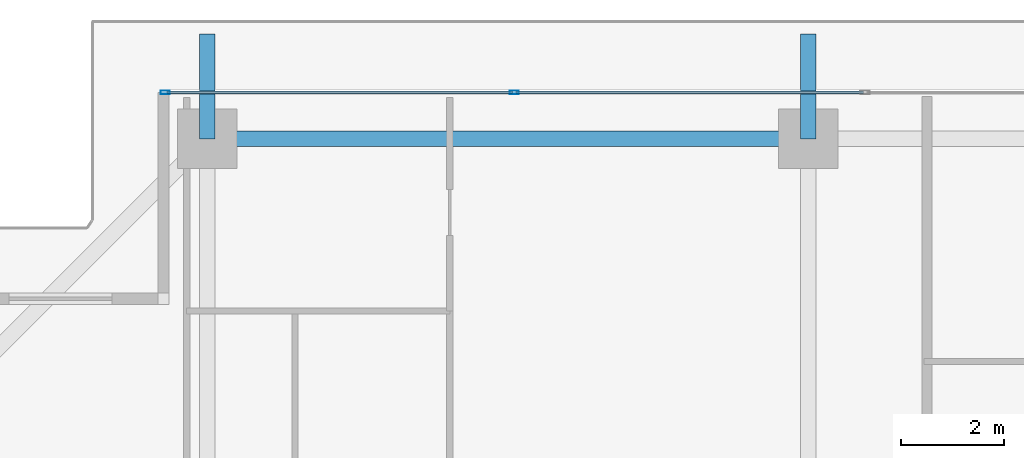
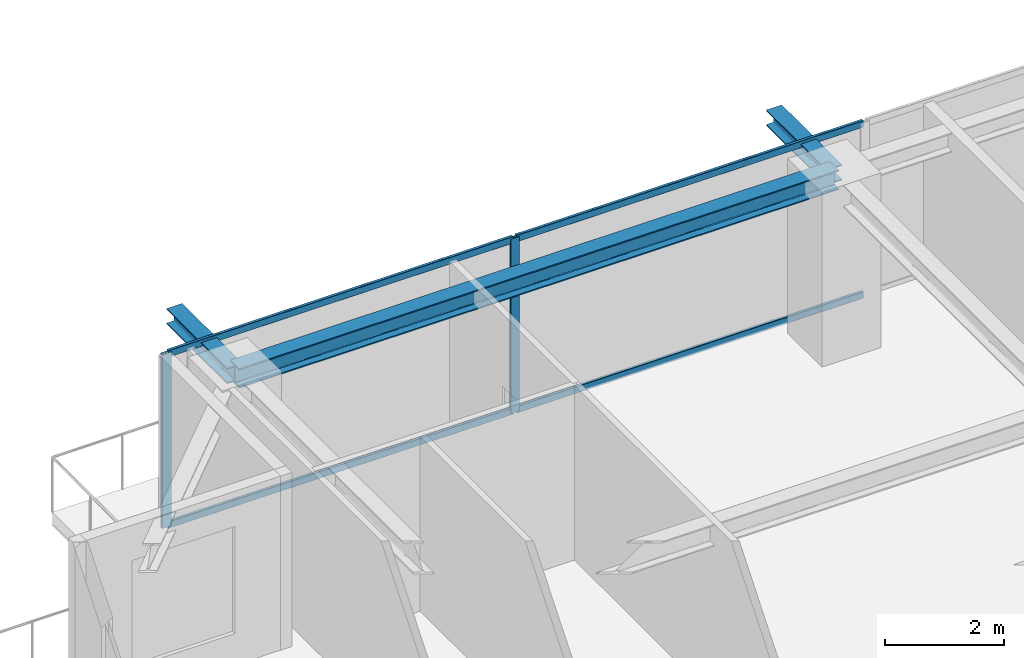
# One storey, part 19 of 36: 6 members, 3 beams, 1 element without a shape of its own.
"""IFC4 building model written with IfcOpenShell, lengths in metres."""

from ifc_helpers import new_model, si_unit, direction, frame, origin, origin_2d, place, context, subcontext, project, spatial, hollow_rectangle, i_section, extrude, source, transform, mapped, material, layer, layer_set, material_profile, profile_set, type_object, element, aggregate, save


model = new_model("IFC4")

# Units and contexts
model_context = context("Model", 3, precision=1e-05, world=origin(), true_north=direction((0.0, 1.0)))
body_context = subcontext(model_context, "Body", "Model", "MODEL_VIEW")
ifc_project = project(units=[si_unit("LENGTHUNIT", "METRE"), si_unit("AREAUNIT", "SQUARE_METRE"), si_unit("VOLUMEUNIT", "CUBIC_METRE"), si_unit("PLANEANGLEUNIT", "RADIAN"), si_unit("MASSUNIT", "GRAM", prefix="KILO")], contexts=[model_context])

# Site, building, storey
site_placement = place(None, origin())
site = spatial("IfcSite", under=ifc_project, at=site_placement, CompositionType="ELEMENT")
building_placement = place(site_placement, origin())
building = spatial("IfcBuilding", under=site, at=building_placement, Name="Serunith Strait Residences", CompositionType="ELEMENT")
storey_placement = place(building_placement, frame((0.0, 0.0, 256.64990234375)))
storey = spatial("IfcBuildingStorey", under=building, at=storey_placement, Name="L64", CompositionType="ELEMENT", Elevation=256.64990234375)

# Beams
ifc_material_1 = material(Name="Steel S355J2", Category="steel")
ifc_material_profile_1 = material_profile(ifc_material_1, i_section(OverallWidth=0.300048828125, OverallDepth=0.39990234375, WebThickness=0.013427734375, FlangeThickness=0.02392578125, FilletRadius=0.027099609375, at=origin_2d()), Name="HEB 400")
ifc_profile_set_1 = profile_set([ifc_material_profile_1], Name="Steel S355J2")
beam_type_1 = type_object("IfcBeamType", Name="BM-HEB400", PredefinedType="BEAM", material=ifc_profile_set_1)
shared_shape_1 = source(origin(), body_context, "Body", "SweptSolid", [
    extrude(i_section(OverallWidth=0.300048828125, OverallDepth=0.39990234375, WebThickness=0.013427734375, FlangeThickness=0.02392578125, FilletRadius=0.027099609375, at=origin_2d()), origin(), (0.0, 0.0, 1.0), 11.64990234375),
])
beam_placement = place(storey_placement, frame((27.89990234375, 48.300048828125, 3.38720703125), z_axis=(-1.0, 0.0, 0.0), x_axis=(0.0, -1.0, 0.0)))
element("IfcBeam", 1, at=beam_placement, inside=storey, type_object=beam_type_1, Name="L64 Perimeter Ring Beam 11", PredefinedType="BEAM", context=body_context, shape_type="MappedRepresentation", body=[
    mapped(shared_shape_1, transform((0.0, 0.0, 0.0), scale=1.0)),
])
ifc_material_profile_2 = material_profile(ifc_material_1, i_section(OverallWidth=0.300048828125, OverallDepth=0.320068359375, WebThickness=0.011474609375, FlangeThickness=0.0205078125, FilletRadius=0.027099609375, at=origin_2d()), Name="HEB 320")
ifc_profile_set_2 = profile_set([ifc_material_profile_2], Name="Steel S355J2")
beam_type_2 = type_object("IfcBeamType", Name="BM-HEB320", PredefinedType="BEAM", material=ifc_profile_set_2)
shared_shape_2 = source(origin(), body_context, "Body", "SweptSolid", [
    extrude(i_section(OverallWidth=0.300048828125, OverallDepth=0.320068359375, WebThickness=0.011474609375, FlangeThickness=0.0205078125, FilletRadius=0.027099609375, at=origin_2d()), origin(), (0.0, 0.0, 1.0), 2.030029296875),
])
for number, where, z_axis, x_axis, name in (
    (2, (16.25, 48.300048828125, 3.397216796875), (0.0, 1.0, 0.0), (-1.0, 0.0, 0.0), "L65 Cantilevered Balcony Rib TC-N1"),
    (3, (27.89990234375, 48.300048828125, 3.397216796875), (0.0, 1.0, 0.0), (-1.0, 0.0, 0.0), "L65 Cantilevered Balcony Rib TC-N2"),
):
    element("IfcBeam", number, at=place(storey_placement, frame(where, z_axis=z_axis, x_axis=x_axis)), inside=storey, type_object=beam_type_2, Name=name, PredefinedType="BEAM", context=body_context, shape_type="MappedRepresentation", body=[
        mapped(shared_shape_2, transform((0.0, 0.0, 0.0), scale=1.0)),
    ])

# Curtain wall, members
ifc_material_2 = material(Name="Pale-Champagne Anodised Aluminium", Category="aluminium")
ifc_layer = layer(ifc_material_2, 0.199951171875, Name="Pale-Champagne Anodised Aluminium")
ifc_layer_set = layer_set([ifc_layer], Name="Pale-Champagne Anodised Aluminium")
curtain_wall_type = type_object("IfcCurtainWallType", Name="CW-SYS4", PredefinedType="NOTDEFINED", material=ifc_layer_set)
curtain_wall_placement = place(storey_placement, origin())
curtain_wall = element("IfcCurtainWall", 4, at=curtain_wall_placement, inside=storey, type_object=curtain_wall_type, Name="L64 N Unitised Fritted Curtain Wall", PredefinedType="NOTDEFINED")
ifc_material_profile_3 = material_profile(ifc_material_2, hollow_rectangle(XDim=0.06005859375, YDim=0.139892578125, WallThickness=0.00341796875, InnerFilletRadius=0.00537109375, OuterFilletRadius=0.0087890625, at=origin_2d()), Name="ALU 140x60x3.5")
ifc_profile_set_3 = profile_set([ifc_material_profile_3], Name="Pale-Champagne Anodised Aluminium")
member_type_1 = type_object("IfcMemberType", Name="CW-SYS4-TRAN", PredefinedType="USERDEFINED", material=ifc_profile_set_3)
shared_shape_3 = source(origin(), body_context, "Body", "SweptSolid", [
    extrude(hollow_rectangle(XDim=0.06005859375, YDim=0.139892578125, WallThickness=0.00341796875, InnerFilletRadius=0.00537109375, OuterFilletRadius=0.0087890625, at=origin_2d()), origin(), (0.0, 0.0, 1.0), 6.702392578125),
])
member_1_placement = place(storey_placement, frame((22.16748046875, 49.199951171875, 0.030029296875), z_axis=(-1.0, 0.0, 0.0), x_axis=(0.0, -1.0, 0.0)))
member_1 = element("IfcMember", 5, at=member_1_placement, type_object=member_type_1, Name="CW-4 transom 5.1", ObjectType="TRANSOM", PredefinedType="USERDEFINED", context=body_context, shape_type="MappedRepresentation", body=[
    mapped(shared_shape_3, transform((0.0, 0.0, 0.0), scale=1.0)),
])
member_2_placement = place(storey_placement, frame((22.16748046875, 49.199951171875, 3.545166015625), z_axis=(-1.0, 0.0, 0.0), x_axis=(0.0, -1.0, 0.0)))
member_2 = element("IfcMember", 6, at=member_2_placement, type_object=member_type_1, Name="CW-4 transom 5.2", ObjectType="TRANSOM", PredefinedType="USERDEFINED", context=body_context, shape_type="MappedRepresentation", body=[
    mapped(shared_shape_3, transform((0.0, 0.0, 0.0), scale=1.0)),
])
shared_shape_4 = source(origin(), body_context, "Body", "SweptSolid", [
    extrude(hollow_rectangle(XDim=0.06005859375, YDim=0.139892578125, WallThickness=0.00341796875, InnerFilletRadius=0.00537109375, OuterFilletRadius=0.0087890625, at=origin_2d()), origin(), (0.0, 0.0, 1.0), 6.735107421875),
])
member_3_placement = place(storey_placement, frame((28.967529296875, 49.199951171875, 0.030029296875), z_axis=(-1.0, 0.0, 0.0), x_axis=(0.0, -1.0, 0.0)))
member_3 = element("IfcMember", 7, at=member_3_placement, type_object=member_type_1, Name="CW-4 transom 4.1", ObjectType="TRANSOM", PredefinedType="USERDEFINED", context=body_context, shape_type="MappedRepresentation", body=[
    mapped(shared_shape_4, transform((0.0, 0.0, 0.0), scale=1.0)),
])
member_4_placement = place(storey_placement, frame((28.967529296875, 49.199951171875, 3.545166015625), z_axis=(-1.0, 0.0, 0.0), x_axis=(0.0, -1.0, 0.0)))
member_4 = element("IfcMember", 8, at=member_4_placement, type_object=member_type_1, Name="CW-4 transom 4.2", ObjectType="TRANSOM", PredefinedType="USERDEFINED", context=body_context, shape_type="MappedRepresentation", body=[
    mapped(shared_shape_4, transform((0.0, 0.0, 0.0), scale=1.0)),
])
ifc_material_profile_4 = material_profile(ifc_material_2, hollow_rectangle(XDim=0.06494140625, YDim=0.179931640625, WallThickness=0.00341796875, InnerFilletRadius=0.00537109375, OuterFilletRadius=0.0087890625, at=origin_2d()), Name="ALU 180x65x3.5")
ifc_profile_set_4 = profile_set([ifc_material_profile_4], Name="Pale-Champagne Anodised Aluminium")
member_type_2 = type_object("IfcMemberType", Name="CW-SYS4-MULL", PredefinedType="MULLION", material=ifc_profile_set_4)
shared_shape_5 = source(origin(), body_context, "Body", "SweptSolid", [
    extrude(hollow_rectangle(XDim=0.06494140625, YDim=0.179931640625, WallThickness=0.00341796875, InnerFilletRadius=0.00537109375, OuterFilletRadius=0.0087890625, at=origin_2d()), origin(), (0.0, 0.0, 1.0), 3.5751953125),
])
member_5_placement = place(storey_placement, frame((22.199951171875, 49.199951171875, 0.0), z_axis=(0.0, 0.0, 1.0), x_axis=(0.0, -1.0, 0.0)))
member_5 = element("IfcMember", 9, at=member_5_placement, type_object=member_type_2, Name="CW-4 mullion 5", PredefinedType="MULLION", context=body_context, shape_type="MappedRepresentation", body=[
    mapped(shared_shape_5, transform((0.0, 0.0, 0.0), scale=1.0)),
])
member_6_placement = place(storey_placement, frame((15.4326171875, 49.199951171875, 0.0), z_axis=(0.0, 0.0, 1.0), x_axis=(0.0, -1.0, 0.0)))
member_6 = element("IfcMember", 10, at=member_6_placement, type_object=member_type_2, Name="CW-4 mullion 6", PredefinedType="MULLION", context=body_context, shape_type="MappedRepresentation", body=[
    mapped(shared_shape_5, transform((0.0, 0.0, 0.0), scale=1.0)),
])
aggregate(curtain_wall, [member_5, member_6, member_3, member_4, member_1, member_2])

save(model, "model.ifc")
